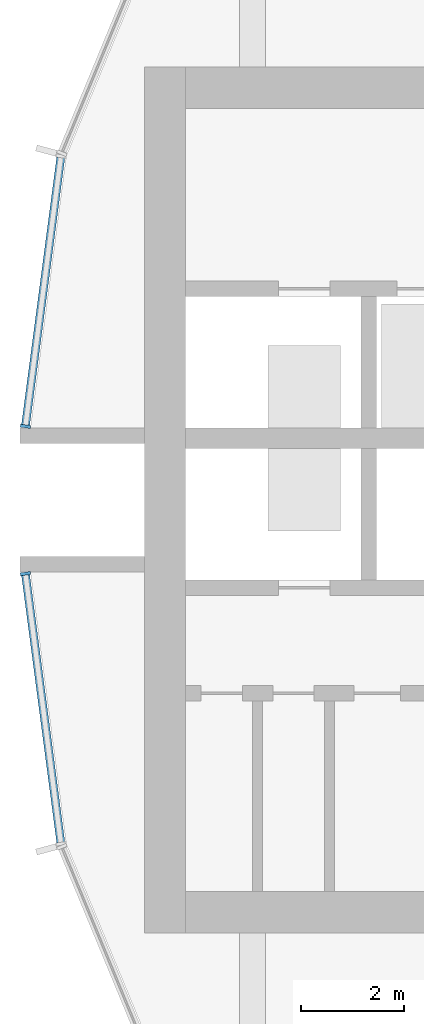
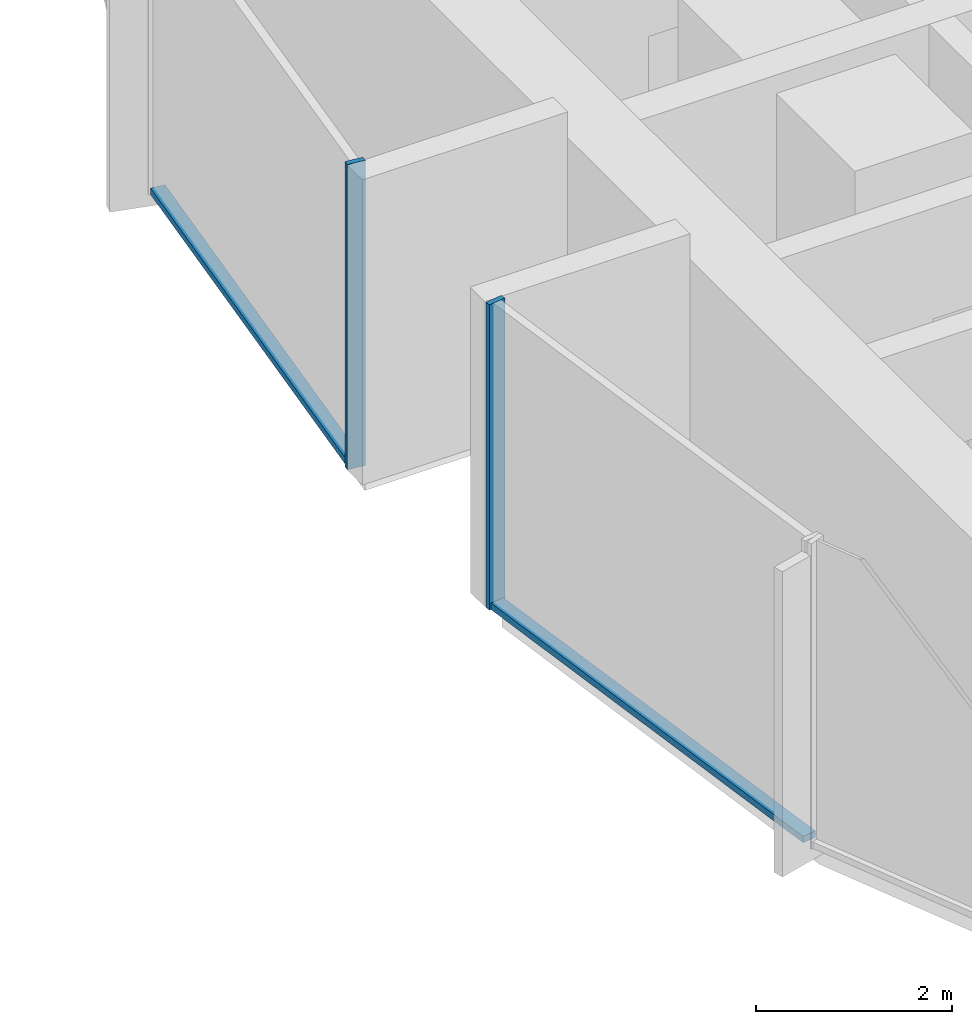
# One storey, part 3 of 15: 4 members, 2 elements without a shape of their own.
"""IFC4 building model written with IfcOpenShell, lengths in metres."""

from ifc_helpers import new_model, si_unit, direction, frame, origin, origin_2d, place, context, subcontext, project, spatial, rectangle, extrude, material, layer, layer_set, material_profile, profile_set, type_object, element, aggregate, save


model = new_model("IFC4")

# Units and contexts
model_context = context("Model", 3, precision=1e-05, world=origin(), true_north=direction((0.0, 1.0)))
body_context = subcontext(model_context, "Body", "Model", "MODEL_VIEW")
ifc_project = project(units=[si_unit("LENGTHUNIT", "METRE"), si_unit("AREAUNIT", "SQUARE_METRE"), si_unit("VOLUMEUNIT", "CUBIC_METRE"), si_unit("PLANEANGLEUNIT", "RADIAN"), si_unit("MASSUNIT", "GRAM", prefix="KILO")], contexts=[model_context])

# Site, building, storey
site_placement = place(None, origin())
site = spatial("IfcSite", under=ifc_project, at=site_placement, CompositionType="ELEMENT")
building_placement = place(site_placement, origin())
building = spatial("IfcBuilding", under=site, at=building_placement, Name="Torre Brocal", CompositionType="ELEMENT")
storey_placement = place(building_placement, frame((0.0, 0.0, 36.39990234375)))
storey = spatial("IfcBuildingStorey", under=building, at=storey_placement, Name="L07", CompositionType="ELEMENT", Elevation=36.39990234375)

# Curtain wall, member
ifc_material_1 = material(Name="Aluminium and glass", Category="aluminium")
ifc_layer = layer(ifc_material_1, 0.199951171875)
ifc_layer_set = layer_set([ifc_layer], Name="Aluminium and glass")
curtain_wall_type = type_object("IfcCurtainWallType", Name="CW-1B CURTAIN WALL 3800 HIGH", PredefinedType="NOTDEFINED", material=ifc_layer_set)
curtain_wall_1_placement = place(storey_placement, origin())
curtain_wall_1 = element("IfcCurtainWall", 1, at=curtain_wall_1_placement, inside=storey, type_object=curtain_wall_type, Name="CW-1B RUN 12", PredefinedType="NOTDEFINED")
ifc_material_2 = material(Name="Aluminium, dark anodised", Category="aluminium")
ifc_material_profile_1 = material_profile(ifc_material_2, rectangle(XDim=0.199951171875, YDim=0.06005859375, at=origin_2d()), Name="CW-1B MULLION 60X200")
ifc_profile_set_1 = profile_set([ifc_material_profile_1], Name="Aluminium, dark anodised")
member_type_1 = type_object("IfcMemberType", Name="CW-1B MULLION 60X200", PredefinedType="MULLION", material=ifc_profile_set_1)
member_1_placement = place(storey_placement, frame((54.2890625, 76.4296875, 0.0), z_axis=(0.0, 0.0, 1.0), x_axis=(0.991444861374, -0.13052619222, 0.0)))
member_1 = element("IfcMember", 2, at=member_1_placement, type_object=member_type_1, Name="CW1B-1 mullion 2", PredefinedType="MULLION", context=body_context, shape_type="SweptSolid", body=[
    extrude(rectangle(XDim=0.199951171875, YDim=0.06005859375, at=origin_2d()), origin(), (0.0, 0.0, 1.0), 3.800048828125),
])

curtain_wall_2_placement = place(storey_placement, origin())
curtain_wall_2 = element("IfcCurtainWall", 3, at=curtain_wall_2_placement, inside=storey, type_object=curtain_wall_type, Name="CW-1B RUN 13", PredefinedType="NOTDEFINED")
member_2_placement = place(storey_placement, frame((54.2890625, 73.5703125, 0.0), z_axis=(0.0, 0.0, 1.0), x_axis=(0.991444861374, 0.13052619222, 0.0)))
member_2 = element("IfcMember", 4, at=member_2_placement, type_object=member_type_1, Name="CW1B-1 mullion 1", PredefinedType="MULLION", context=body_context, shape_type="SweptSolid", body=[
    extrude(rectangle(XDim=0.199951171875, YDim=0.06005859375, at=origin_2d()), origin(), (0.0, 0.0, 1.0), 3.800048828125),
])

# Member
ifc_material_3 = material(Name="Aluminium, dark anodised", Category="aluminium")
ifc_material_profile_2 = material_profile(ifc_material_3, rectangle(XDim=0.159912109375, YDim=0.080078125, at=origin_2d()), Name="CW-1B TRANSOM 160X80")
ifc_profile_set_2 = profile_set([ifc_material_profile_2], Name="Aluminium, dark anodised")
member_type_2 = type_object("IfcMemberType", Name="CW-1B TRANSOM 160X80", PredefinedType="USERDEFINED", material=ifc_profile_set_2)
member_3_placement = place(storey_placement, frame((54.9755859375, 81.643798828125, 0.0400390625), z_axis=(-0.130542677827, -0.991442690863, 0.0), x_axis=(0.991442690863, -0.130542677827, 0.0)))
member_3 = element("IfcMember", 5, at=member_3_placement, type_object=member_type_2, Name="CW1B-1 transom 1.1", ObjectType="TRANSOM", PredefinedType="USERDEFINED", context=body_context, shape_type="SweptSolid", body=[
    extrude(rectangle(XDim=0.159912109375, YDim=0.080078125, at=origin_2d()), origin(), (0.0, 0.0, 1.0), 5.22900390625),
])

aggregate(curtain_wall_1, [member_1, member_3])

member_4_placement = place(storey_placement, frame((54.29296875, 73.54052734375, 0.0400390625), z_axis=(0.130542677827, -0.991442690863, 0.0), x_axis=(0.991442690863, 0.130542677827, 0.0)))
member_4 = element("IfcMember", 6, at=member_4_placement, type_object=member_type_2, Name="CW1B-1 transom 1.1", ObjectType="TRANSOM", PredefinedType="USERDEFINED", context=body_context, shape_type="SweptSolid", body=[
    extrude(rectangle(XDim=0.159912109375, YDim=0.080078125, at=origin_2d()), origin(), (0.0, 0.0, 1.0), 5.22900390625),
])

aggregate(curtain_wall_2, [member_2, member_4])

save(model, "model.ifc")
